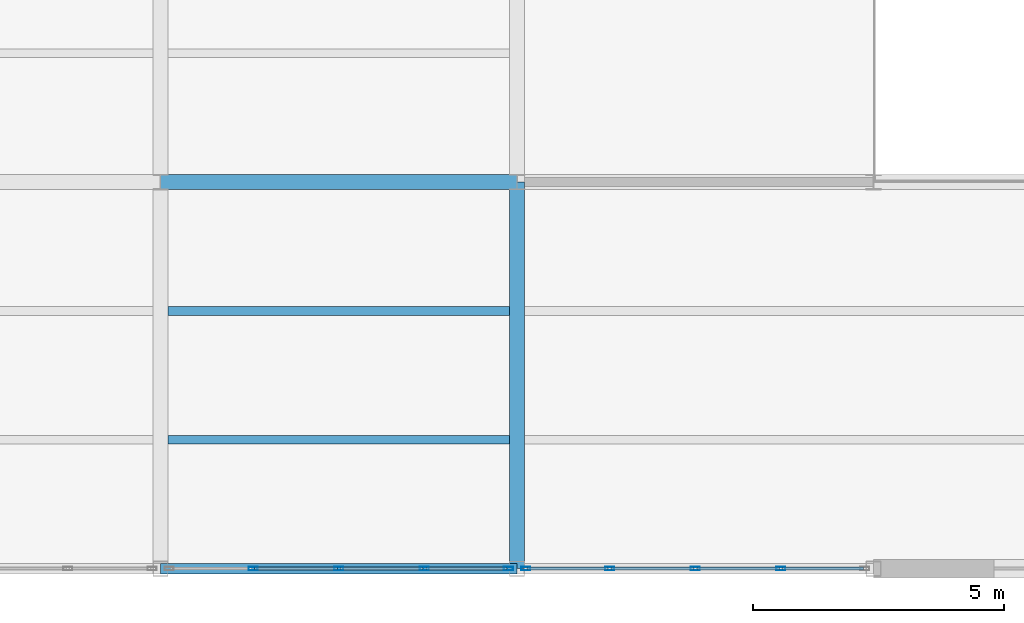
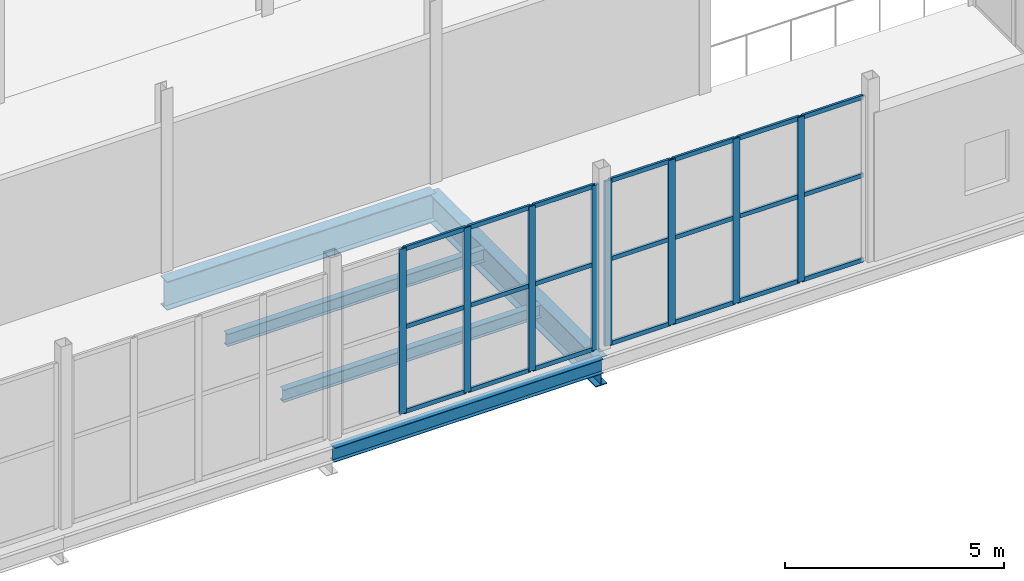
# One storey, part 119 of 218: 29 members, 5 beams, 2 elements without a shape of their own.
"""IFC4 building model written with IfcOpenShell, lengths in metres."""

import ifcopenshell
import ifcopenshell.guid

model = None  # the IFC model being written
_history = None  # IfcOwnerHistory: only IFC2X3 demands one
_inside = {}  # id of a spatial element -> (the spatial element, [elements in it])
_under = {}  # id of a project, library or spatial element -> (it, [spatial elements below it])
_declared = {}  # id of a project -> (the project, [libraries it declares])
_typed = {}  # id of a type object -> (the type object, [elements of that type])
_made_of = {}  # id of a material, layer set ... -> (it, [elements and type objects made of it])


def new_model(schema):
    """Start an empty IFC model of exactly this schema.

    Asked for "IFC4X3", IfcOpenShell would pick the latest addendum, in which some entities
    have other attributes; the version numbers below select the first issue.
    IFC2X3 requires an IfcOwnerHistory on every rooted entity: one is made here for all.
    """
    global model, _history
    if schema == "IFC4X3":
        model = ifcopenshell.file(schema_version=(4, 3, 0, 0))
    else:
        model = ifcopenshell.file(schema=schema)
    _inside.clear()
    _under.clear()
    _declared.clear()
    _typed.clear()
    _made_of.clear()
    _history = None
    if model.schema == "IFC2X3":
        org = make("IfcOrganization", Name="unknown")
        user = make(
            "IfcPersonAndOrganization",
            ThePerson=make("IfcPerson", FamilyName="unknown"),
            TheOrganization=org,
        )
        app = make(
            "IfcApplication",
            ApplicationDeveloper=org,
            Version="unknown",
            ApplicationFullName="unknown",
            ApplicationIdentifier="unknown",
        )
        _history = make(
            "IfcOwnerHistory",
            OwningUser=user,
            OwningApplication=app,
            ChangeAction="ADDED",
            CreationDate=0,
        )
    return model


def make(cls, **values):
    """One entity of the class cls with the attributes given. An attribute that is None is left unset."""
    return model.create_entity(
        cls, **{name: value for name, value in values.items() if value is not None}
    )


def rooted(cls, **values):
    """An entity with a GlobalId (a new one), such as an element, a storey or a relation."""
    return make(cls, GlobalId=ifcopenshell.guid.new(), OwnerHistory=_history, **values)


def si_unit(unit_type, name, prefix=None):
    """IfcSIUnit, for example si_unit("LENGTHUNIT", "METRE", prefix="MILLI")."""
    return make("IfcSIUnit", UnitType=unit_type, Prefix=prefix, Name=name)


def assignment(units):
    """IfcUnitAssignment: the units of a project."""
    return None if units is None else make("IfcUnitAssignment", Units=units)


def point(xyz):
    """IfcCartesianPoint."""
    return None if xyz is None else make("IfcCartesianPoint", Coordinates=xyz)


def direction(xyz):
    """IfcDirection."""
    return None if xyz is None else make("IfcDirection", DirectionRatios=xyz)


def frame(location, z_axis=None, x_axis=None):
    """IfcAxis2Placement3D, a coordinate frame: its origin and axes. An axis left out is left unset."""
    return make(
        "IfcAxis2Placement3D",
        Location=point(location),
        Axis=direction(z_axis),
        RefDirection=direction(x_axis),
    )


def frame_2d(location, x_axis=None):
    """IfcAxis2Placement2D, a coordinate frame in the plane: its origin and x axis."""
    return make(
        "IfcAxis2Placement2D", Location=point(location), RefDirection=direction(x_axis)
    )


def origin():
    """The frame at (0, 0, 0) with its axes left unset."""
    return frame((0.0, 0.0, 0.0))


def origin_2d():
    """The frame at (0, 0) in the plane with its x axis left unset."""
    return frame_2d((0.0, 0.0))


def place(relative_to, where):
    """IfcLocalPlacement: puts the frame where relative to a parent placement (None: the world)."""
    return make(
        "IfcLocalPlacement", PlacementRelTo=relative_to, RelativePlacement=where
    )


def context(
    kind, dimensions, precision=None, world=None, true_north=None, identifier=None
):
    """IfcGeometricRepresentationContext, for example the 3D "Model" context."""
    return make(
        "IfcGeometricRepresentationContext",
        ContextIdentifier=identifier,
        ContextType=kind,
        CoordinateSpaceDimension=dimensions,
        Precision=precision,
        WorldCoordinateSystem=world,
        TrueNorth=true_north,
    )


def subcontext(parent, identifier, kind, view, scale=None):
    """IfcGeometricRepresentationSubContext, for example "Body" below "Model"."""
    return make(
        "IfcGeometricRepresentationSubContext",
        ContextIdentifier=identifier,
        ContextType=kind,
        ParentContext=parent,
        TargetScale=scale,
        TargetView=view,
    )


def project(units=None, contexts=None):
    """IfcProject with its units and contexts."""
    return rooted(
        "IfcProject",
        Name="project",
        RepresentationContexts=contexts,
        UnitsInContext=assignment(units),
    )


def spatial(cls, under=None, at=None, **own):
    """A site, building, storey or space (cls), placed at a placement, below another one or the project."""
    s = rooted(cls, ObjectPlacement=at, **own)
    if under is not None:
        _under.setdefault(under.id(), (under, []))[1].append(s)
    return s


def profile(cls, at=None, kind="AREA", **sizes):
    """A parametric profile (cls). Its sizes go by their IFC names, for example OverallWidth=200.0."""
    return make(cls, ProfileType=kind, Position=at, **sizes)


def hollow_rectangle(**sizes):
    """IfcRectangleHollowProfileDef."""
    return profile("IfcRectangleHollowProfileDef", **sizes)


def i_section(**sizes):
    """IfcIShapeProfileDef."""
    return profile("IfcIShapeProfileDef", **sizes)


def extrude(swept, where, along, depth):
    """IfcExtrudedAreaSolid: the profile swept, set in the frame where, extruded along a direction by depth."""
    return make(
        "IfcExtrudedAreaSolid",
        SweptArea=swept,
        Position=where,
        ExtrudedDirection=direction(along),
        Depth=depth,
    )


def shape(context_of_items, identifier, shape_type, items):
    """IfcShapeRepresentation: the items that make up one representation, for example the "Body"."""
    return make(
        "IfcShapeRepresentation",
        ContextOfItems=context_of_items,
        RepresentationIdentifier=identifier,
        RepresentationType=shape_type,
        Items=items,
    )


def material(Name=None, Category=None):
    """IfcMaterial."""
    return make("IfcMaterial", Name=Name, Category=Category)


def material_profile(
    of_material, cross_section, Name=None, Category=None, Priority=None
):
    """IfcMaterialProfile: a cross section and its material."""
    return make(
        "IfcMaterialProfile",
        Name=Name,
        Material=of_material,
        Profile=cross_section,
        Priority=Priority,
        Category=Category,
    )


def profile_set(profiles, Name=None, composite=None):
    """IfcMaterialProfileSet."""
    return make(
        "IfcMaterialProfileSet",
        Name=Name,
        MaterialProfiles=profiles,
        CompositeProfile=composite,
    )


def made_of(thing, what):
    """Note that an element or type object is made of a material, layer set ...; save() writes the relation."""
    if what is not None:
        _made_of.setdefault(what.id(), (what, []))[1].append(thing)
    return thing


def type_object(cls, material=None, **own):
    """A type object (cls), such as IfcWallType, which elements share."""
    return made_of(rooted(cls, **own), material)


def element(
    cls,
    number,
    at=None,
    inside=None,
    cuts=None,
    type_object=None,
    material=None,
    context=None,
    identifier="Body",
    shape_type=None,
    held_by="IfcProductDefinitionShape",
    body=None,
    shapes=None,
    **own,
):
    """One element of the class cls, such as IfcWall. Its Tag is "e" and its number.

    at: its placement. inside: the storey or other place that contains it. cuts: it is an
    opening in that element (IfcRelVoidsElement). A single representation is given by context,
    identifier, shape_type and body (its items); several are given by shapes. held_by: the class
    of the entity that holds the representations. save() writes the other relations.
    """
    e = rooted(cls, Tag="e%d" % number, ObjectPlacement=at, **own)
    if body is not None:
        shapes = [shape(context, identifier, shape_type, body)]
    if shapes is not None:
        e.Representation = make(held_by, Representations=shapes)
    if inside is not None:
        _inside.setdefault(inside.id(), (inside, []))[1].append(e)
    if cuts is not None:
        rooted(
            "IfcRelVoidsElement", RelatingBuildingElement=cuts, RelatedOpeningElement=e
        )
    if type_object is not None:
        _typed.setdefault(type_object.id(), (type_object, []))[1].append(e)
    return made_of(e, material)


def aggregate(whole, parts):
    """IfcRelAggregates: a whole, such as a stair, and the parts it consists of."""
    return rooted("IfcRelAggregates", RelatingObject=whole, RelatedObjects=parts)


def save(model, path):
    """Write the relations noted so far, then the file.

    IfcRelAggregates (storeys below a building ...), IfcRelContainedInSpatialStructure (elements
    in a storey), IfcRelDefinesByType, IfcRelAssociatesMaterial and IfcRelDeclares: one each for
    every whole, place, type object, material and project.
    """
    for whole, parts in _under.values():
        aggregate(whole, parts)
    for where, things in _inside.values():
        rooted(
            "IfcRelContainedInSpatialStructure",
            RelatedElements=things,
            RelatingStructure=where,
        )
    for kind, things in _typed.values():
        rooted("IfcRelDefinesByType", RelatedObjects=things, RelatingType=kind)
    for what, things in _made_of.values():
        rooted("IfcRelAssociatesMaterial", RelatedObjects=things, RelatingMaterial=what)
    for by, libraries in _declared.values():
        rooted("IfcRelDeclares", RelatingContext=by, RelatedDefinitions=libraries)
    model.write(path)


model = new_model("IFC4")

# Units and contexts
model_context = context("Model", 3, precision=1e-05, world=origin(), true_north=direction((0.0, 1.0)))
body_context = subcontext(model_context, "Body", "Model", "MODEL_VIEW")
ifc_project = project(units=[si_unit("LENGTHUNIT", "METRE"), si_unit("AREAUNIT", "SQUARE_METRE"), si_unit("VOLUMEUNIT", "CUBIC_METRE"), si_unit("PLANEANGLEUNIT", "RADIAN"), si_unit("MASSUNIT", "GRAM", prefix="KILO")], contexts=[model_context])

# Site, building, storey
site_placement = place(None, origin())
site = spatial("IfcSite", under=ifc_project, at=site_placement, CompositionType="ELEMENT")
building_placement = place(site_placement, origin())
building = spatial("IfcBuilding", under=site, at=building_placement, Name="Kazenagashi Tramway Depot", CompositionType="ELEMENT")
storey_placement = place(building_placement, frame((0.0, 0.0, 6.0)))
storey = spatial("IfcBuildingStorey", under=building, at=storey_placement, Name="L02", CompositionType="ELEMENT", Elevation=6.0)

# Beams
ifc_material_1 = material(Name="Steel SN490B", Category="steel")
ifc_material_profile_1 = material_profile(ifc_material_1, i_section(OverallWidth=0.3, OverallDepth=0.8, WebThickness=0.014, FlangeThickness=0.026, at=origin_2d()), Name="H-800x300x14x26")
ifc_profile_set_1 = profile_set([ifc_material_profile_1], Name="Steel SN490B")
beam_type_1 = type_object("IfcBeamType", Name="G-07", PredefinedType="BEAM", material=ifc_profile_set_1)
beam_1_placement = place(storey_placement, frame((174.7, 7.7, -0.68), z_axis=(1.0, 0.0, 0.0), x_axis=(0.0, 1.0, 0.0)))
element("IfcBeam", 1, at=beam_1_placement, inside=storey, type_object=beam_type_1, Name="Beam G-07 BM-1193", PredefinedType="BEAM", context=body_context, shape_type="SweptSolid", body=[
    extrude(i_section(OverallWidth=0.3, OverallDepth=0.8, WebThickness=0.014, FlangeThickness=0.026, at=origin_2d()), origin(), (0.0, 0.0, 1.0), 7.1),
])
beam_2_placement = place(storey_placement, frame((181.8, 0.0, -0.68), z_axis=(0.0, 1.0, 0.0), x_axis=(-1.0, 0.0, 0.0)))
element("IfcBeam", 2, at=beam_2_placement, inside=storey, type_object=beam_type_1, Name="Beam G-07 BM-1337", PredefinedType="BEAM", context=body_context, shape_type="SweptSolid", body=[
    extrude(i_section(OverallWidth=0.3, OverallDepth=0.8, WebThickness=0.014, FlangeThickness=0.026, at=origin_2d()), origin(), (0.0, 0.0, 1.0), 7.7),
])
ifc_material_2 = material(Name="Steel SN400B", Category="steel")
ifc_material_profile_2 = material_profile(ifc_material_2, i_section(OverallWidth=0.175, OverallDepth=0.35, WebThickness=0.007, FlangeThickness=0.011, at=origin_2d()), Name="H-350x175x7x11")
ifc_profile_set_2 = profile_set([ifc_material_profile_2], Name="Steel SN400B")
beam_type_2 = type_object("IfcBeamType", Name="J-01", PredefinedType="JOIST", material=ifc_profile_set_2)
for number, where, z_axis, x_axis, name in (
    (3, (174.85, 2.567, -0.455), (1.0, 0.0, 0.0), (0.0, 1.0, 0.0), "Beam J-01 BM-1311"),
    (4, (174.85, 5.133, -0.455), (1.0, 0.0, 0.0), (0.0, 1.0, 0.0), "Beam J-01 BM-1312"),
):
    element("IfcBeam", number, at=place(storey_placement, frame(where, z_axis=z_axis, x_axis=x_axis)), inside=storey, type_object=beam_type_2, Name=name, PredefinedType="JOIST", context=body_context, shape_type="SweptSolid", body=[
        extrude(i_section(OverallWidth=0.175, OverallDepth=0.35, WebThickness=0.007, FlangeThickness=0.011, at=origin_2d()), origin(), (0.0, 0.0, 1.0), 6.8),
    ])

# Curtain wall, members
ifc_material_3 = material(Name="Anodised Aluminium and Low-E Glazing", Category="aluminium")
curtain_wall_type = type_object("IfcCurtainWallType", Name="CW-22", PredefinedType="USERDEFINED", material=ifc_material_3)
curtain_wall_1_placement = place(storey_placement, origin())
curtain_wall_1 = element("IfcCurtainWall", 5, at=curtain_wall_1_placement, inside=storey, type_object=curtain_wall_type, Name="Industrial Glazed Screen CW-22 CW-0123", ObjectType="GLAZED SCREEN", PredefinedType="USERDEFINED")
ifc_material_4 = material(Name="Anodised Aluminium", Category="aluminium")
ifc_material_profile_3 = material_profile(ifc_material_4, hollow_rectangle(XDim=0.07, YDim=0.18, WallThickness=0.005, at=origin_2d()), Name="RHS-180x70x5")
ifc_profile_set_3 = profile_set([ifc_material_profile_3], Name="Anodised Aluminium")
member_type_1 = type_object("IfcMemberType", Name="ML-02", PredefinedType="MULLION", material=ifc_profile_set_3)
member_1_placement = place(storey_placement, frame((176.545, 0.0, 0.0), z_axis=(0.0, 0.0, 1.0), x_axis=(0.0, 1.0, 0.0)))
member_1 = element("IfcMember", 6, at=member_1_placement, type_object=member_type_1, Name="CW-22 mullion 2", PredefinedType="MULLION", context=body_context, shape_type="SweptSolid", body=[
    extrude(hollow_rectangle(XDim=0.07, YDim=0.18, WallThickness=0.005, at=origin_2d()), origin(), (0.0, 0.0, 1.0), 4.6),
])
member_2_placement = place(storey_placement, frame((178.25, 0.0, 0.0), z_axis=(0.0, 0.0, 1.0), x_axis=(0.0, 1.0, 0.0)))
member_2 = element("IfcMember", 7, at=member_2_placement, type_object=member_type_1, Name="CW-22 mullion 3", PredefinedType="MULLION", context=body_context, shape_type="SweptSolid", body=[
    extrude(hollow_rectangle(XDim=0.07, YDim=0.18, WallThickness=0.005, at=origin_2d()), origin(), (0.0, 0.0, 1.0), 4.6),
])
member_3_placement = place(storey_placement, frame((179.955, 0.0, 0.0), z_axis=(0.0, 0.0, 1.0), x_axis=(0.0, 1.0, 0.0)))
member_3 = element("IfcMember", 8, at=member_3_placement, type_object=member_type_1, Name="CW-22 mullion 4", PredefinedType="MULLION", context=body_context, shape_type="SweptSolid", body=[
    extrude(hollow_rectangle(XDim=0.07, YDim=0.18, WallThickness=0.005, at=origin_2d()), origin(), (0.0, 0.0, 1.0), 4.6),
])
member_4_placement = place(storey_placement, frame((181.63, 0.0, 0.0), z_axis=(0.0, 0.0, 1.0), x_axis=(0.0, 1.0, 0.0)))
member_4 = element("IfcMember", 9, at=member_4_placement, type_object=member_type_1, Name="CW-22 mullion 5", PredefinedType="MULLION", context=body_context, shape_type="SweptSolid", body=[
    extrude(hollow_rectangle(XDim=0.07, YDim=0.18, WallThickness=0.005, at=origin_2d()), origin(), (0.0, 0.0, 1.0), 4.6),
])

curtain_wall_2_placement = place(storey_placement, origin())
curtain_wall_2 = element("IfcCurtainWall", 10, at=curtain_wall_2_placement, inside=storey, type_object=curtain_wall_type, Name="Industrial Glazed Screen CW-22 CW-0124", ObjectType="GLAZED SCREEN", PredefinedType="USERDEFINED")
member_5_placement = place(storey_placement, frame((181.97, 0.0, 0.0), z_axis=(0.0, 0.0, 1.0), x_axis=(0.0, 1.0, 0.0)))
member_5 = element("IfcMember", 11, at=member_5_placement, type_object=member_type_1, Name="CW-22 mullion 1", PredefinedType="MULLION", context=body_context, shape_type="SweptSolid", body=[
    extrude(hollow_rectangle(XDim=0.07, YDim=0.18, WallThickness=0.005, at=origin_2d()), origin(), (0.0, 0.0, 1.0), 4.6),
])
member_6_placement = place(storey_placement, frame((183.645, 0.0, 0.0), z_axis=(0.0, 0.0, 1.0), x_axis=(0.0, 1.0, 0.0)))
member_6 = element("IfcMember", 12, at=member_6_placement, type_object=member_type_1, Name="CW-22 mullion 2", PredefinedType="MULLION", context=body_context, shape_type="SweptSolid", body=[
    extrude(hollow_rectangle(XDim=0.07, YDim=0.18, WallThickness=0.005, at=origin_2d()), origin(), (0.0, 0.0, 1.0), 4.6),
])
member_7_placement = place(storey_placement, frame((185.35, 0.0, 0.0), z_axis=(0.0, 0.0, 1.0), x_axis=(0.0, 1.0, 0.0)))
member_7 = element("IfcMember", 13, at=member_7_placement, type_object=member_type_1, Name="CW-22 mullion 3", PredefinedType="MULLION", context=body_context, shape_type="SweptSolid", body=[
    extrude(hollow_rectangle(XDim=0.07, YDim=0.18, WallThickness=0.005, at=origin_2d()), origin(), (0.0, 0.0, 1.0), 4.6),
])
member_8_placement = place(storey_placement, frame((187.055, 0.0, 0.0), z_axis=(0.0, 0.0, 1.0), x_axis=(0.0, 1.0, 0.0)))
member_8 = element("IfcMember", 14, at=member_8_placement, type_object=member_type_1, Name="CW-22 mullion 4", PredefinedType="MULLION", context=body_context, shape_type="SweptSolid", body=[
    extrude(hollow_rectangle(XDim=0.07, YDim=0.18, WallThickness=0.005, at=origin_2d()), origin(), (0.0, 0.0, 1.0), 4.6),
])

# Beam
ifc_material_profile_4 = material_profile(ifc_material_1, i_section(OverallWidth=0.2, OverallDepth=0.4, WebThickness=0.008, FlangeThickness=0.013, at=origin_2d()), Name="H-400x200x8x13")
ifc_profile_set_4 = profile_set([ifc_material_profile_4], Name="Steel SN490B")
beam_type_3 = type_object("IfcBeamType", Name="SP-04", PredefinedType="SPANDREL", material=ifc_profile_set_4)
beam_3_placement = place(storey_placement, frame((174.7, 0.0, -0.48), z_axis=(1.0, 0.0, 0.0), x_axis=(0.0, 1.0, 0.0)))
element("IfcBeam", 15, at=beam_3_placement, inside=storey, type_object=beam_type_3, Name="Beam SP-04 BM-1188", PredefinedType="SPANDREL", context=body_context, shape_type="SweptSolid", body=[
    extrude(i_section(OverallWidth=0.2, OverallDepth=0.4, WebThickness=0.008, FlangeThickness=0.013, at=origin_2d()), origin(), (0.0, 0.0, 1.0), 7.1),
])

# Member
ifc_material_profile_5 = material_profile(ifc_material_4, hollow_rectangle(XDim=0.06, YDim=0.12, WallThickness=0.004, at=origin_2d()), Name="RHS-120x60x4")
ifc_profile_set_5 = profile_set([ifc_material_profile_5], Name="Anodised Aluminium")
member_type_2 = type_object("IfcMemberType", Name="TR-01", PredefinedType="USERDEFINED", material=ifc_profile_set_5)
member_9_placement = place(storey_placement, frame((176.575, 0.0, 0.03), z_axis=(1.0, 0.0, 0.0), x_axis=(0.0, 1.0, 0.0)))
member_9 = element("IfcMember", 16, at=member_9_placement, type_object=member_type_2, Name="CW-22 transom 2.1", ObjectType="TRANSOM", PredefinedType="USERDEFINED", context=body_context, shape_type="SweptSolid", body=[
    extrude(hollow_rectangle(XDim=0.06, YDim=0.12, WallThickness=0.004, at=origin_2d()), origin(), (0.0, 0.0, 1.0), 1.645),
])

member_10_placement = place(storey_placement, frame((176.575, 0.0, 2.392), z_axis=(1.0, 0.0, 0.0), x_axis=(0.0, 1.0, 0.0)))
member_10 = element("IfcMember", 17, at=member_10_placement, type_object=member_type_2, Name="CW-22 transom 2.2", ObjectType="TRANSOM", PredefinedType="USERDEFINED", context=body_context, shape_type="SweptSolid", body=[
    extrude(hollow_rectangle(XDim=0.06, YDim=0.12, WallThickness=0.004, at=origin_2d()), origin(), (0.0, 0.0, 1.0), 1.645),
])

member_11_placement = place(storey_placement, frame((176.575, 0.0, 4.57), z_axis=(1.0, 0.0, 0.0), x_axis=(0.0, 1.0, 0.0)))
member_11 = element("IfcMember", 18, at=member_11_placement, type_object=member_type_2, Name="CW-22 transom 2.3", ObjectType="TRANSOM", PredefinedType="USERDEFINED", context=body_context, shape_type="SweptSolid", body=[
    extrude(hollow_rectangle(XDim=0.06, YDim=0.12, WallThickness=0.004, at=origin_2d()), origin(), (0.0, 0.0, 1.0), 1.645),
])

member_12_placement = place(storey_placement, frame((178.28, 0.0, 0.03), z_axis=(1.0, 0.0, 0.0), x_axis=(0.0, 1.0, 0.0)))
member_12 = element("IfcMember", 19, at=member_12_placement, type_object=member_type_2, Name="CW-22 transom 3.1", ObjectType="TRANSOM", PredefinedType="USERDEFINED", context=body_context, shape_type="SweptSolid", body=[
    extrude(hollow_rectangle(XDim=0.06, YDim=0.12, WallThickness=0.004, at=origin_2d()), origin(), (0.0, 0.0, 1.0), 1.645),
])

member_13_placement = place(storey_placement, frame((178.28, 0.0, 2.392), z_axis=(1.0, 0.0, 0.0), x_axis=(0.0, 1.0, 0.0)))
member_13 = element("IfcMember", 20, at=member_13_placement, type_object=member_type_2, Name="CW-22 transom 3.2", ObjectType="TRANSOM", PredefinedType="USERDEFINED", context=body_context, shape_type="SweptSolid", body=[
    extrude(hollow_rectangle(XDim=0.06, YDim=0.12, WallThickness=0.004, at=origin_2d()), origin(), (0.0, 0.0, 1.0), 1.645),
])

member_14_placement = place(storey_placement, frame((178.28, 0.0, 4.57), z_axis=(1.0, 0.0, 0.0), x_axis=(0.0, 1.0, 0.0)))
member_14 = element("IfcMember", 21, at=member_14_placement, type_object=member_type_2, Name="CW-22 transom 3.3", ObjectType="TRANSOM", PredefinedType="USERDEFINED", context=body_context, shape_type="SweptSolid", body=[
    extrude(hollow_rectangle(XDim=0.06, YDim=0.12, WallThickness=0.004, at=origin_2d()), origin(), (0.0, 0.0, 1.0), 1.645),
])

member_15_placement = place(storey_placement, frame((179.985, 0.0, 0.03), z_axis=(1.0, 0.0, 0.0), x_axis=(0.0, 1.0, 0.0)))
member_15 = element("IfcMember", 22, at=member_15_placement, type_object=member_type_2, Name="CW-22 transom 4.1", ObjectType="TRANSOM", PredefinedType="USERDEFINED", context=body_context, shape_type="SweptSolid", body=[
    extrude(hollow_rectangle(XDim=0.06, YDim=0.12, WallThickness=0.004, at=origin_2d()), origin(), (0.0, 0.0, 1.0), 1.615),
])

member_16_placement = place(storey_placement, frame((179.985, 0.0, 2.392), z_axis=(1.0, 0.0, 0.0), x_axis=(0.0, 1.0, 0.0)))
member_16 = element("IfcMember", 23, at=member_16_placement, type_object=member_type_2, Name="CW-22 transom 4.2", ObjectType="TRANSOM", PredefinedType="USERDEFINED", context=body_context, shape_type="SweptSolid", body=[
    extrude(hollow_rectangle(XDim=0.06, YDim=0.12, WallThickness=0.004, at=origin_2d()), origin(), (0.0, 0.0, 1.0), 1.615),
])

member_17_placement = place(storey_placement, frame((179.985, 0.0, 4.57), z_axis=(1.0, 0.0, 0.0), x_axis=(0.0, 1.0, 0.0)))
member_17 = element("IfcMember", 24, at=member_17_placement, type_object=member_type_2, Name="CW-22 transom 4.3", ObjectType="TRANSOM", PredefinedType="USERDEFINED", context=body_context, shape_type="SweptSolid", body=[
    extrude(hollow_rectangle(XDim=0.06, YDim=0.12, WallThickness=0.004, at=origin_2d()), origin(), (0.0, 0.0, 1.0), 1.615),
])

aggregate(curtain_wall_1, [member_1, member_2, member_3, member_4, member_9, member_10, member_11, member_12, member_13, member_14, member_15, member_16, member_17])

member_18_placement = place(storey_placement, frame((182.0, 0.0, 0.03), z_axis=(1.0, 0.0, 0.0), x_axis=(0.0, 1.0, 0.0)))
member_18 = element("IfcMember", 25, at=member_18_placement, type_object=member_type_2, Name="CW-22 transom 1.1", ObjectType="TRANSOM", PredefinedType="USERDEFINED", context=body_context, shape_type="SweptSolid", body=[
    extrude(hollow_rectangle(XDim=0.06, YDim=0.12, WallThickness=0.004, at=origin_2d()), origin(), (0.0, 0.0, 1.0), 1.615),
])

member_19_placement = place(storey_placement, frame((182.0, 0.0, 2.392), z_axis=(1.0, 0.0, 0.0), x_axis=(0.0, 1.0, 0.0)))
member_19 = element("IfcMember", 26, at=member_19_placement, type_object=member_type_2, Name="CW-22 transom 1.2", ObjectType="TRANSOM", PredefinedType="USERDEFINED", context=body_context, shape_type="SweptSolid", body=[
    extrude(hollow_rectangle(XDim=0.06, YDim=0.12, WallThickness=0.004, at=origin_2d()), origin(), (0.0, 0.0, 1.0), 1.615),
])

member_20_placement = place(storey_placement, frame((182.0, 0.0, 4.57), z_axis=(1.0, 0.0, 0.0), x_axis=(0.0, 1.0, 0.0)))
member_20 = element("IfcMember", 27, at=member_20_placement, type_object=member_type_2, Name="CW-22 transom 1.3", ObjectType="TRANSOM", PredefinedType="USERDEFINED", context=body_context, shape_type="SweptSolid", body=[
    extrude(hollow_rectangle(XDim=0.06, YDim=0.12, WallThickness=0.004, at=origin_2d()), origin(), (0.0, 0.0, 1.0), 1.615),
])

member_21_placement = place(storey_placement, frame((183.675, 0.0, 0.03), z_axis=(1.0, 0.0, 0.0), x_axis=(0.0, 1.0, 0.0)))
member_21 = element("IfcMember", 28, at=member_21_placement, type_object=member_type_2, Name="CW-22 transom 2.1", ObjectType="TRANSOM", PredefinedType="USERDEFINED", context=body_context, shape_type="SweptSolid", body=[
    extrude(hollow_rectangle(XDim=0.06, YDim=0.12, WallThickness=0.004, at=origin_2d()), origin(), (0.0, 0.0, 1.0), 1.645),
])

member_22_placement = place(storey_placement, frame((183.675, 0.0, 2.392), z_axis=(1.0, 0.0, 0.0), x_axis=(0.0, 1.0, 0.0)))
member_22 = element("IfcMember", 29, at=member_22_placement, type_object=member_type_2, Name="CW-22 transom 2.2", ObjectType="TRANSOM", PredefinedType="USERDEFINED", context=body_context, shape_type="SweptSolid", body=[
    extrude(hollow_rectangle(XDim=0.06, YDim=0.12, WallThickness=0.004, at=origin_2d()), origin(), (0.0, 0.0, 1.0), 1.645),
])

member_23_placement = place(storey_placement, frame((183.675, 0.0, 4.57), z_axis=(1.0, 0.0, 0.0), x_axis=(0.0, 1.0, 0.0)))
member_23 = element("IfcMember", 30, at=member_23_placement, type_object=member_type_2, Name="CW-22 transom 2.3", ObjectType="TRANSOM", PredefinedType="USERDEFINED", context=body_context, shape_type="SweptSolid", body=[
    extrude(hollow_rectangle(XDim=0.06, YDim=0.12, WallThickness=0.004, at=origin_2d()), origin(), (0.0, 0.0, 1.0), 1.645),
])

member_24_placement = place(storey_placement, frame((185.38, 0.0, 0.03), z_axis=(1.0, 0.0, 0.0), x_axis=(0.0, 1.0, 0.0)))
member_24 = element("IfcMember", 31, at=member_24_placement, type_object=member_type_2, Name="CW-22 transom 3.1", ObjectType="TRANSOM", PredefinedType="USERDEFINED", context=body_context, shape_type="SweptSolid", body=[
    extrude(hollow_rectangle(XDim=0.06, YDim=0.12, WallThickness=0.004, at=origin_2d()), origin(), (0.0, 0.0, 1.0), 1.645),
])

member_25_placement = place(storey_placement, frame((185.38, 0.0, 2.392), z_axis=(1.0, 0.0, 0.0), x_axis=(0.0, 1.0, 0.0)))
member_25 = element("IfcMember", 32, at=member_25_placement, type_object=member_type_2, Name="CW-22 transom 3.2", ObjectType="TRANSOM", PredefinedType="USERDEFINED", context=body_context, shape_type="SweptSolid", body=[
    extrude(hollow_rectangle(XDim=0.06, YDim=0.12, WallThickness=0.004, at=origin_2d()), origin(), (0.0, 0.0, 1.0), 1.645),
])

member_26_placement = place(storey_placement, frame((185.38, 0.0, 4.57), z_axis=(1.0, 0.0, 0.0), x_axis=(0.0, 1.0, 0.0)))
member_26 = element("IfcMember", 33, at=member_26_placement, type_object=member_type_2, Name="CW-22 transom 3.3", ObjectType="TRANSOM", PredefinedType="USERDEFINED", context=body_context, shape_type="SweptSolid", body=[
    extrude(hollow_rectangle(XDim=0.06, YDim=0.12, WallThickness=0.004, at=origin_2d()), origin(), (0.0, 0.0, 1.0), 1.645),
])

member_27_placement = place(storey_placement, frame((187.085, 0.0, 0.03), z_axis=(1.0, 0.0, 0.0), x_axis=(0.0, 1.0, 0.0)))
member_27 = element("IfcMember", 34, at=member_27_placement, type_object=member_type_2, Name="CW-22 transom 4.1", ObjectType="TRANSOM", PredefinedType="USERDEFINED", context=body_context, shape_type="SweptSolid", body=[
    extrude(hollow_rectangle(XDim=0.06, YDim=0.12, WallThickness=0.004, at=origin_2d()), origin(), (0.0, 0.0, 1.0), 1.615),
])

member_28_placement = place(storey_placement, frame((187.085, 0.0, 2.392), z_axis=(1.0, 0.0, 0.0), x_axis=(0.0, 1.0, 0.0)))
member_28 = element("IfcMember", 35, at=member_28_placement, type_object=member_type_2, Name="CW-22 transom 4.2", ObjectType="TRANSOM", PredefinedType="USERDEFINED", context=body_context, shape_type="SweptSolid", body=[
    extrude(hollow_rectangle(XDim=0.06, YDim=0.12, WallThickness=0.004, at=origin_2d()), origin(), (0.0, 0.0, 1.0), 1.615),
])

member_29_placement = place(storey_placement, frame((187.085, 0.0, 4.57), z_axis=(1.0, 0.0, 0.0), x_axis=(0.0, 1.0, 0.0)))
member_29 = element("IfcMember", 36, at=member_29_placement, type_object=member_type_2, Name="CW-22 transom 4.3", ObjectType="TRANSOM", PredefinedType="USERDEFINED", context=body_context, shape_type="SweptSolid", body=[
    extrude(hollow_rectangle(XDim=0.06, YDim=0.12, WallThickness=0.004, at=origin_2d()), origin(), (0.0, 0.0, 1.0), 1.615),
])

aggregate(curtain_wall_2, [member_5, member_6, member_7, member_8, member_18, member_19, member_20, member_21, member_22, member_23, member_24, member_25, member_26, member_27, member_28, member_29])

save(model, "model.ifc")
